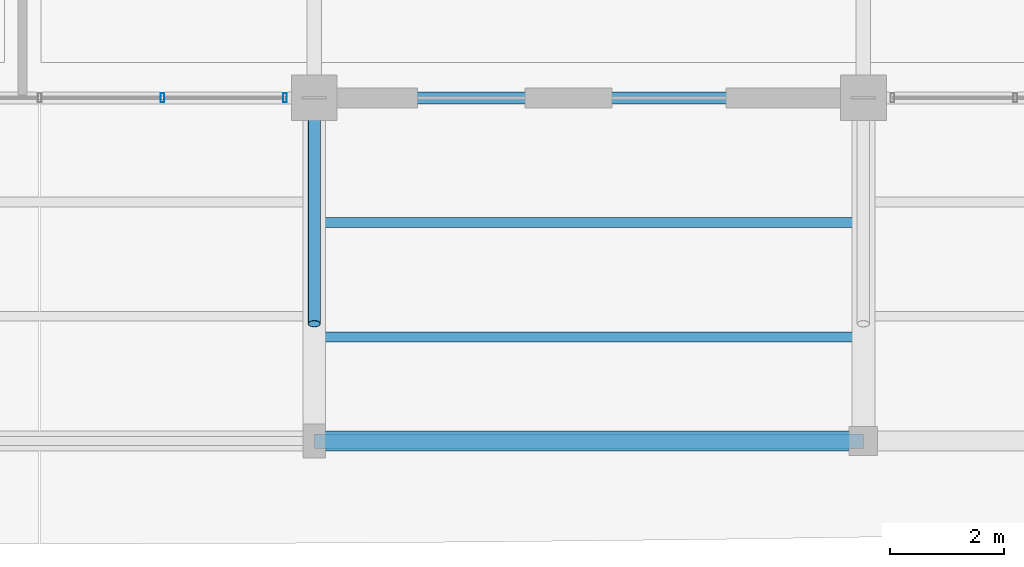
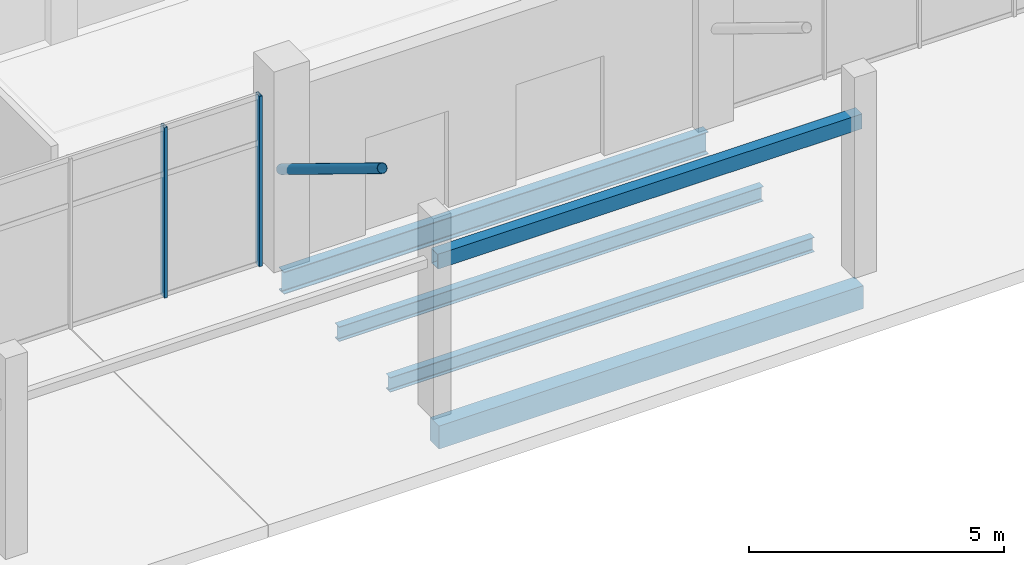
# One storey, part 38 of 116: 5 beams, 3 members, 1 element without a shape of its own.
"""IFC4 building model written with IfcOpenShell, lengths in metres."""

from ifc_helpers import new_model, si_unit, direction, frame, origin, origin_2d, place, context, subcontext, project, spatial, rectangle, hollow_rectangle, hollow_circle, i_section, extrude, material, layer, layer_set, material_profile, profile_set, type_object, element, aggregate, save


model = new_model("IFC4")

# Units and contexts
model_context = context("Model", 3, precision=1e-05, world=origin(), true_north=direction((0.0, 1.0)))
body_context = subcontext(model_context, "Body", "Model", "MODEL_VIEW")
ifc_project = project(units=[si_unit("LENGTHUNIT", "METRE"), si_unit("AREAUNIT", "SQUARE_METRE"), si_unit("VOLUMEUNIT", "CUBIC_METRE"), si_unit("PLANEANGLEUNIT", "RADIAN"), si_unit("MASSUNIT", "GRAM", prefix="KILO")], contexts=[model_context])

# Site, building, storey
site_placement = place(None, origin())
site = spatial("IfcSite", under=ifc_project, at=site_placement, CompositionType="ELEMENT")
building_placement = place(site_placement, origin())
building = spatial("IfcBuilding", under=site, at=building_placement, Name="Chalmorin Arch Market", CompositionType="ELEMENT")
storey_placement = place(building_placement, origin())
storey = spatial("IfcBuildingStorey", under=building, at=storey_placement, Name="L00", CompositionType="ELEMENT", Elevation=0.0)

# Member
ifc_material_1 = material(Name="Steel A500 Grade C", Category="steel")
ifc_material_profile_1 = material_profile(ifc_material_1, hollow_circle(Radius=0.109619140625, WallThickness=0.00830078125, at=origin_2d()), Name="CHS219X8")
ifc_profile_set_1 = profile_set([ifc_material_profile_1], Name="Steel A500 Grade C")
member_type_1 = type_object("IfcMemberType", Name="CanopyRakingStrut-CHS219", PredefinedType="STRUT", material=ifc_profile_set_1)
member_1_placement = place(storey_placement, frame((67.199951171875, 6.0, 2.10009765625), z_axis=(0.0, -0.852698951307, 0.522402621012), x_axis=(1.0, 0.0, 0.0)))
element("IfcMember", 1, at=member_1_placement, inside=storey, type_object=member_type_1, Name="ST-CH219-0008", PredefinedType="STRUT", context=body_context, shape_type="SweptSolid", body=[
    extrude(hollow_circle(Radius=0.109619140625, WallThickness=0.00830078125, at=origin_2d()), origin(), (0.0, 0.0, 1.0), 4.63232421875),
])

# Curtain wall, members
ifc_material_2 = material(Name="Aluminium 6063-T6", Category="aluminium")
ifc_layer = layer(ifc_material_2, 0.159912109375)
ifc_layer_set = layer_set([ifc_layer], Name="Aluminium 6063-T6")
curtain_wall_type = type_object("IfcCurtainWallType", Name="RiverfrontStorefrontCurtainWall-CW2-8580x4080", PredefinedType="NOTDEFINED", material=ifc_layer_set)
curtain_wall_placement = place(storey_placement, origin())
curtain_wall = element("IfcCurtainWall", 2, at=curtain_wall_placement, inside=storey, type_object=curtain_wall_type, Name="CW-02-003", PredefinedType="NOTDEFINED")
ifc_material_profile_2 = material_profile(ifc_material_2, hollow_rectangle(XDim=0.06494140625, YDim=0.159912109375, WallThickness=0.00390625, at=origin_2d()), Name="ALU65X160X4")
ifc_profile_set_2 = profile_set([ifc_material_profile_2], Name="Aluminium 6063-T6")
member_type_2 = type_object("IfcMemberType", Name="CurtainWallMullion-65x160", PredefinedType="MULLION", material=ifc_profile_set_2)
member_2_placement = place(storey_placement, frame((64.544921875, 6.0, 0.0), z_axis=(0.0, 0.0, 1.0), x_axis=(1.0, 0.0, 0.0)))
member_2 = element("IfcMember", 3, at=member_2_placement, type_object=member_type_2, Name="ML-003-04", PredefinedType="MULLION", context=body_context, shape_type="SweptSolid", body=[
    extrude(hollow_rectangle(XDim=0.06494140625, YDim=0.159912109375, WallThickness=0.00390625, at=origin_2d()), origin(), (0.0, 0.0, 1.0), 4.075927734375),
])
member_3_placement = place(storey_placement, frame((66.68994140625, 6.0, 0.0), z_axis=(0.0, 0.0, 1.0), x_axis=(1.0, 0.0, 0.0)))
member_3 = element("IfcMember", 4, at=member_3_placement, type_object=member_type_2, Name="ML-003-05", PredefinedType="MULLION", context=body_context, shape_type="SweptSolid", body=[
    extrude(hollow_rectangle(XDim=0.06494140625, YDim=0.159912109375, WallThickness=0.00390625, at=origin_2d()), origin(), (0.0, 0.0, 1.0), 4.075927734375),
])
aggregate(curtain_wall, [member_2, member_3])

# Beams
ifc_material_3 = material(Name="Steel A992 Grade 50", Category="steel")
ifc_material_profile_3 = material_profile(ifc_material_3, i_section(OverallWidth=0.208984375, OverallDepth=0.532958984375, WebThickness=0.01025390625, FlangeThickness=0.015625, FilletRadius=0.02197265625, at=origin_2d()), Name="W21X62")
ifc_profile_set_3 = profile_set([ifc_material_profile_3], Name="Steel A992 Grade 50")
beam_type_1 = type_object("IfcBeamType", Name="PerimeterSpandrelBeam-W21X62", PredefinedType="SPANDREL", material=ifc_profile_set_3)
beam_1_placement = place(storey_placement, frame((67.199951171875, 6.0, -0.568603515625), z_axis=(1.0, 0.0, 0.0), x_axis=(0.0, 1.0, 0.0)))
element("IfcBeam", 5, at=beam_1_placement, inside=storey, type_object=beam_type_1, Name="SP-W21-0033", PredefinedType="SPANDREL", context=body_context, shape_type="SweptSolid", body=[
    extrude(i_section(OverallWidth=0.208984375, OverallDepth=0.532958984375, WebThickness=0.01025390625, FlangeThickness=0.015625, FilletRadius=0.02197265625, at=origin_2d()), origin(), (0.0, 0.0, 1.0), 9.60009765625),
])
ifc_material_profile_4 = material_profile(ifc_material_1, hollow_rectangle(XDim=0.25390625, YDim=0.355712890625, WallThickness=0.01171875, at=origin_2d()), Name="HSS14X10X1/2")
ifc_profile_set_4 = profile_set([ifc_material_profile_4], Name="Steel A500 Grade C")
beam_type_2 = type_object("IfcBeamType", Name="PortalLintelBeam-HSS14X10", PredefinedType="LINTEL", material=ifc_profile_set_4)
beam_2_placement = place(storey_placement, frame((67.199951171875, 0.0, 3.60009765625), z_axis=(1.0, 0.0, 0.0), x_axis=(0.0, 1.0, 0.0)))
element("IfcBeam", 6, at=beam_2_placement, inside=storey, type_object=beam_type_2, Name="LN-04-1763", PredefinedType="LINTEL", context=body_context, shape_type="SweptSolid", body=[
    extrude(hollow_rectangle(XDim=0.25390625, YDim=0.355712890625, WallThickness=0.01171875, at=origin_2d()), origin(), (0.0, 0.0, 1.0), 9.60009765625),
])
ifc_material_profile_5 = material_profile(ifc_material_3, i_section(OverallWidth=0.1708984375, OverallDepth=0.35107421875, WebThickness=0.0068359375, FlangeThickness=0.009765625, FilletRadius=0.014892578125, at=origin_2d()), Name="W14X30")
ifc_profile_set_5 = profile_set([ifc_material_profile_5], Name="Steel A992 Grade 50")
beam_type_3 = type_object("IfcBeamType", Name="SecondaryFloorJoist-W14X30", PredefinedType="JOIST", material=ifc_profile_set_5)
for number, where, z_axis, x_axis, name in (
    (7, (67.199951171875, 1.820068359375, -0.4775390625), (1.0, 0.0, 0.0), (0.0, 1.0, 0.0), "BJ-W14-0588"),
    (8, (67.199951171875, 3.820068359375, -0.4775390625), (1.0, 0.0, 0.0), (0.0, 1.0, 0.0), "BJ-W14-0589"),
):
    element("IfcBeam", number, at=place(storey_placement, frame(where, z_axis=z_axis, x_axis=x_axis)), inside=storey, type_object=beam_type_3, Name=name, PredefinedType="JOIST", context=body_context, shape_type="SweptSolid", body=[
        extrude(i_section(OverallWidth=0.1708984375, OverallDepth=0.35107421875, WebThickness=0.0068359375, FlangeThickness=0.009765625, FilletRadius=0.014892578125, at=origin_2d()), origin(), (0.0, 0.0, 1.0), 9.60009765625),
    ])
ifc_material_4 = material(Name="Concrete C40/50", Category="concrete")
ifc_material_profile_6 = material_profile(ifc_material_4, rectangle(XDim=0.35009765625, YDim=0.550048828125, at=origin_2d()), Name="RC350X550")
ifc_profile_set_6 = profile_set([ifc_material_profile_6], Name="Concrete C40/50")
beam_type_4 = type_object("IfcBeamType", Name="TerraceEdgeBeam-350x550", PredefinedType="SPANDREL", material=ifc_profile_set_6)
beam_3_placement = place(storey_placement, frame((67.199951171875, 0.0, -0.576904296875), z_axis=(1.0, 0.0, 0.0), x_axis=(0.0, 1.0, 0.0)))
element("IfcBeam", 9, at=beam_3_placement, inside=storey, type_object=beam_type_4, Name="SP-RC1-0562", PredefinedType="SPANDREL", context=body_context, shape_type="SweptSolid", body=[
    extrude(rectangle(XDim=0.35009765625, YDim=0.550048828125, at=origin_2d()), origin(), (0.0, 0.0, 1.0), 9.60009765625),
])

save(model, "model.ifc")
